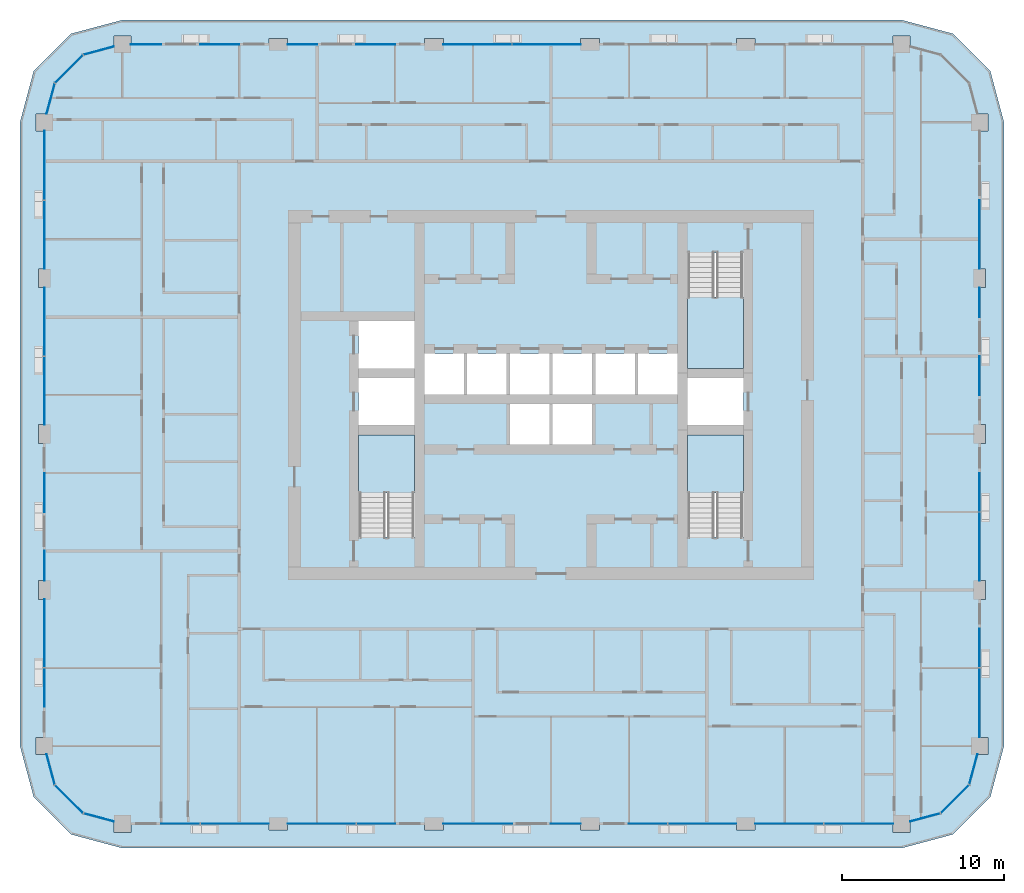
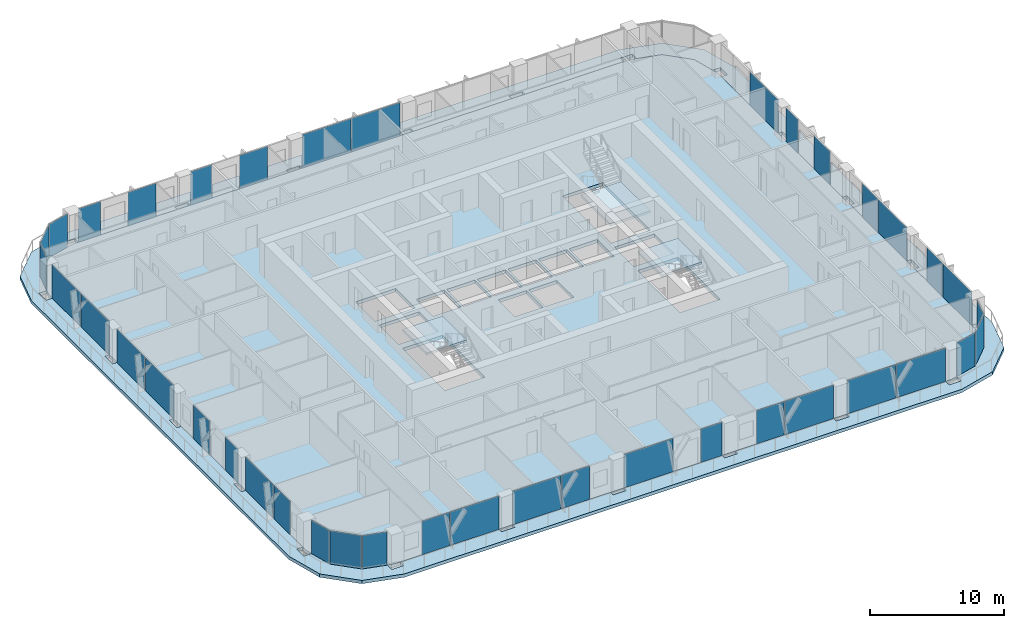
# One storey, part 7 of 22: 40 plates, 5 slabs, 22 elements without a shape of their own.
"""IFC4 building model written with IfcOpenShell, lengths in metres."""

import ifcopenshell
import ifcopenshell.guid

model = None  # the IFC model being written
_history = None  # IfcOwnerHistory: only IFC2X3 demands one
_inside = {}  # id of a spatial element -> (the spatial element, [elements in it])
_under = {}  # id of a project, library or spatial element -> (it, [spatial elements below it])
_declared = {}  # id of a project -> (the project, [libraries it declares])
_typed = {}  # id of a type object -> (the type object, [elements of that type])
_made_of = {}  # id of a material, layer set ... -> (it, [elements and type objects made of it])


def new_model(schema):
    """Start an empty IFC model of exactly this schema.

    Asked for "IFC4X3", IfcOpenShell would pick the latest addendum, in which some entities
    have other attributes; the version numbers below select the first issue.
    IFC2X3 requires an IfcOwnerHistory on every rooted entity: one is made here for all.
    """
    global model, _history
    if schema == "IFC4X3":
        model = ifcopenshell.file(schema_version=(4, 3, 0, 0))
    else:
        model = ifcopenshell.file(schema=schema)
    _inside.clear()
    _under.clear()
    _declared.clear()
    _typed.clear()
    _made_of.clear()
    _history = None
    if model.schema == "IFC2X3":
        org = make("IfcOrganization", Name="unknown")
        user = make(
            "IfcPersonAndOrganization",
            ThePerson=make("IfcPerson", FamilyName="unknown"),
            TheOrganization=org,
        )
        app = make(
            "IfcApplication",
            ApplicationDeveloper=org,
            Version="unknown",
            ApplicationFullName="unknown",
            ApplicationIdentifier="unknown",
        )
        _history = make(
            "IfcOwnerHistory",
            OwningUser=user,
            OwningApplication=app,
            ChangeAction="ADDED",
            CreationDate=0,
        )
    return model


def make(cls, **values):
    """One entity of the class cls with the attributes given. An attribute that is None is left unset."""
    return model.create_entity(
        cls, **{name: value for name, value in values.items() if value is not None}
    )


def rooted(cls, **values):
    """An entity with a GlobalId (a new one), such as an element, a storey or a relation."""
    return make(cls, GlobalId=ifcopenshell.guid.new(), OwnerHistory=_history, **values)


def si_unit(unit_type, name, prefix=None):
    """IfcSIUnit, for example si_unit("LENGTHUNIT", "METRE", prefix="MILLI")."""
    return make("IfcSIUnit", UnitType=unit_type, Prefix=prefix, Name=name)


def assignment(units):
    """IfcUnitAssignment: the units of a project."""
    return None if units is None else make("IfcUnitAssignment", Units=units)


def point(xyz):
    """IfcCartesianPoint."""
    return None if xyz is None else make("IfcCartesianPoint", Coordinates=xyz)


def direction(xyz):
    """IfcDirection."""
    return None if xyz is None else make("IfcDirection", DirectionRatios=xyz)


def frame(location, z_axis=None, x_axis=None):
    """IfcAxis2Placement3D, a coordinate frame: its origin and axes. An axis left out is left unset."""
    return make(
        "IfcAxis2Placement3D",
        Location=point(location),
        Axis=direction(z_axis),
        RefDirection=direction(x_axis),
    )


def frame_2d(location, x_axis=None):
    """IfcAxis2Placement2D, a coordinate frame in the plane: its origin and x axis."""
    return make(
        "IfcAxis2Placement2D", Location=point(location), RefDirection=direction(x_axis)
    )


def origin():
    """The frame at (0, 0, 0) with its axes left unset."""
    return frame((0.0, 0.0, 0.0))


def origin_2d():
    """The frame at (0, 0) in the plane with its x axis left unset."""
    return frame_2d((0.0, 0.0))


def place(relative_to, where):
    """IfcLocalPlacement: puts the frame where relative to a parent placement (None: the world)."""
    return make(
        "IfcLocalPlacement", PlacementRelTo=relative_to, RelativePlacement=where
    )


def context(
    kind, dimensions, precision=None, world=None, true_north=None, identifier=None
):
    """IfcGeometricRepresentationContext, for example the 3D "Model" context."""
    return make(
        "IfcGeometricRepresentationContext",
        ContextIdentifier=identifier,
        ContextType=kind,
        CoordinateSpaceDimension=dimensions,
        Precision=precision,
        WorldCoordinateSystem=world,
        TrueNorth=true_north,
    )


def subcontext(parent, identifier, kind, view, scale=None):
    """IfcGeometricRepresentationSubContext, for example "Body" below "Model"."""
    return make(
        "IfcGeometricRepresentationSubContext",
        ContextIdentifier=identifier,
        ContextType=kind,
        ParentContext=parent,
        TargetScale=scale,
        TargetView=view,
    )


def project(units=None, contexts=None):
    """IfcProject with its units and contexts."""
    return rooted(
        "IfcProject",
        Name="project",
        RepresentationContexts=contexts,
        UnitsInContext=assignment(units),
    )


def spatial(cls, under=None, at=None, **own):
    """A site, building, storey or space (cls), placed at a placement, below another one or the project."""
    s = rooted(cls, ObjectPlacement=at, **own)
    if under is not None:
        _under.setdefault(under.id(), (under, []))[1].append(s)
    return s


def polyline(points):
    """IfcPolyline through the points."""
    return make("IfcPolyline", Points=[point(p) for p in points])


def profile(cls, at=None, kind="AREA", **sizes):
    """A parametric profile (cls). Its sizes go by their IFC names, for example OverallWidth=200.0."""
    return make(cls, ProfileType=kind, Position=at, **sizes)


def rectangle(**sizes):
    """IfcRectangleProfileDef."""
    return profile("IfcRectangleProfileDef", **sizes)


def outline(outer, holes=None, kind="AREA"):
    """IfcArbitraryClosedProfileDef: a profile drawn as a closed curve; with holes, ...WithVoids."""
    if holes is None:
        return make("IfcArbitraryClosedProfileDef", ProfileType=kind, OuterCurve=outer)
    return make(
        "IfcArbitraryProfileDefWithVoids",
        ProfileType=kind,
        OuterCurve=outer,
        InnerCurves=holes,
    )


def extrude(swept, where, along, depth):
    """IfcExtrudedAreaSolid: the profile swept, set in the frame where, extruded along a direction by depth."""
    return make(
        "IfcExtrudedAreaSolid",
        SweptArea=swept,
        Position=where,
        ExtrudedDirection=direction(along),
        Depth=depth,
    )


def shape(context_of_items, identifier, shape_type, items):
    """IfcShapeRepresentation: the items that make up one representation, for example the "Body"."""
    return make(
        "IfcShapeRepresentation",
        ContextOfItems=context_of_items,
        RepresentationIdentifier=identifier,
        RepresentationType=shape_type,
        Items=items,
    )


def material(Name=None, Category=None):
    """IfcMaterial."""
    return make("IfcMaterial", Name=Name, Category=Category)


def layer(
    of_material, thickness, ventilated=None, Name=None, Category=None, Priority=None
):
    """IfcMaterialLayer: one layer of a wall or slab, of a material (None: an air gap)."""
    return make(
        "IfcMaterialLayer",
        Material=of_material,
        LayerThickness=thickness,
        IsVentilated=ventilated,
        Name=Name,
        Category=Category,
        Priority=Priority,
    )


def layer_set(layers, Name=None):
    """IfcMaterialLayerSet."""
    return make("IfcMaterialLayerSet", MaterialLayers=layers, LayerSetName=Name)


def made_of(thing, what):
    """Note that an element or type object is made of a material, layer set ...; save() writes the relation."""
    if what is not None:
        _made_of.setdefault(what.id(), (what, []))[1].append(thing)
    return thing


def type_object(cls, material=None, **own):
    """A type object (cls), such as IfcWallType, which elements share."""
    return made_of(rooted(cls, **own), material)


def element(
    cls,
    number,
    at=None,
    inside=None,
    cuts=None,
    type_object=None,
    material=None,
    context=None,
    identifier="Body",
    shape_type=None,
    held_by="IfcProductDefinitionShape",
    body=None,
    shapes=None,
    **own,
):
    """One element of the class cls, such as IfcWall. Its Tag is "e" and its number.

    at: its placement. inside: the storey or other place that contains it. cuts: it is an
    opening in that element (IfcRelVoidsElement). A single representation is given by context,
    identifier, shape_type and body (its items); several are given by shapes. held_by: the class
    of the entity that holds the representations. save() writes the other relations.
    """
    e = rooted(cls, Tag="e%d" % number, ObjectPlacement=at, **own)
    if body is not None:
        shapes = [shape(context, identifier, shape_type, body)]
    if shapes is not None:
        e.Representation = make(held_by, Representations=shapes)
    if inside is not None:
        _inside.setdefault(inside.id(), (inside, []))[1].append(e)
    if cuts is not None:
        rooted(
            "IfcRelVoidsElement", RelatingBuildingElement=cuts, RelatedOpeningElement=e
        )
    if type_object is not None:
        _typed.setdefault(type_object.id(), (type_object, []))[1].append(e)
    return made_of(e, material)


def aggregate(whole, parts):
    """IfcRelAggregates: a whole, such as a stair, and the parts it consists of."""
    return rooted("IfcRelAggregates", RelatingObject=whole, RelatedObjects=parts)


def save(model, path):
    """Write the relations noted so far, then the file.

    IfcRelAggregates (storeys below a building ...), IfcRelContainedInSpatialStructure (elements
    in a storey), IfcRelDefinesByType, IfcRelAssociatesMaterial and IfcRelDeclares: one each for
    every whole, place, type object, material and project.
    """
    for whole, parts in _under.values():
        aggregate(whole, parts)
    for where, things in _inside.values():
        rooted(
            "IfcRelContainedInSpatialStructure",
            RelatedElements=things,
            RelatingStructure=where,
        )
    for kind, things in _typed.values():
        rooted("IfcRelDefinesByType", RelatedObjects=things, RelatingType=kind)
    for what, things in _made_of.values():
        rooted("IfcRelAssociatesMaterial", RelatedObjects=things, RelatingMaterial=what)
    for by, libraries in _declared.values():
        rooted("IfcRelDeclares", RelatingContext=by, RelatedDefinitions=libraries)
    model.write(path)


model = new_model("IFC4")

# Units and contexts
model_context = context("Model", 3, precision=1e-05, world=origin(), true_north=direction((0.0, 1.0)))
body_context = subcontext(model_context, "Body", "Model", "MODEL_VIEW")
ifc_project = project(units=[si_unit("LENGTHUNIT", "METRE"), si_unit("AREAUNIT", "SQUARE_METRE"), si_unit("VOLUMEUNIT", "CUBIC_METRE"), si_unit("PLANEANGLEUNIT", "RADIAN"), si_unit("MASSUNIT", "GRAM", prefix="KILO")], contexts=[model_context])

# Site, building, storey
site_placement = place(None, origin())
site = spatial("IfcSite", under=ifc_project, at=site_placement, CompositionType="ELEMENT")
building_placement = place(site_placement, origin())
building = spatial("IfcBuilding", under=site, at=building_placement, Name="Madar Terraces", CompositionType="ELEMENT")
storey_placement = place(building_placement, frame((0.0, 0.0, 170.0)))
storey = spatial("IfcBuildingStorey", under=building, at=storey_placement, Name="L44", CompositionType="ELEMENT", Elevation=170.0)

# Slabs
ifc_material_1 = material(Name="Concrete C50/60", Category="concrete")
ifc_layer_1 = layer(ifc_material_1, 0.300048828125)
ifc_layer_set_1 = layer_set([ifc_layer_1], Name="Balcony band 300")
slab_type_1 = type_object("IfcSlabType", Name="Balcony band 300", PredefinedType="FLOOR", material=ifc_layer_set_1)
slab_1_placement = place(storey_placement, frame((0.0, 0.0, -0.300048828125)))
element("IfcSlab", 1, at=slab_1_placement, inside=storey, type_object=slab_type_1, Name="Balcony band", PredefinedType="FLOOR", context=body_context, shape_type="SweptSolid", body=[
    extrude(outline(polyline([(4.800048828125, -1.5), (1.64990234375, -0.656005859375), (-0.656005859375, 1.64990234375), (-1.5, 4.800048828125), (-1.5, 43.199951171875), (-0.656005859375, 46.35009765625), (1.64990234375, 48.656005859375), (4.800048828125, 49.5), (52.800048828125, 49.5), (55.949951171875, 48.656005859375), (58.256103515625, 46.35009765625), (59.10009765625, 43.199951171875), (59.10009765625, 4.800048828125), (58.256103515625, 1.64990234375), (55.949951171875, -0.656005859375), (52.800048828125, -1.5), (4.800048828125, -1.5)]), holes=[polyline([(5.324951171875, -0.52490234375), (5.324951171875, 0.0), (13.824951171875, 0.0), (13.824951171875, -0.375), (14.97509765625, -0.375), (14.97509765625, 0.0), (23.425048828125, 0.0), (23.425048828125, -0.375), (24.574951171875, -0.375), (24.574951171875, 0.0), (33.02490234375, 0.0), (33.02490234375, -0.375), (34.175048828125, -0.375), (34.175048828125, 0.0), (42.625, 0.0), (42.625, -0.375), (43.77490234375, -0.375), (43.77490234375, 0.0), (52.27490234375, 0.0), (52.27490234375, -0.52490234375), (53.324951171875, -0.52490234375), (53.324951171875, 0.140625), (55.199951171875, 0.64306640625), (56.956787109375, 2.39990234375), (57.459228515625, 4.27490234375), (58.125, 4.27490234375), (58.125, 5.324951171875), (57.60009765625, 5.324951171875), (57.60009765625, 13.824951171875), (57.97509765625, 13.824951171875), (57.97509765625, 14.97509765625), (57.60009765625, 14.97509765625), (57.60009765625, 23.425048828125), (57.97509765625, 23.425048828125), (57.97509765625, 24.574951171875), (57.60009765625, 24.574951171875), (57.60009765625, 33.02490234375), (57.97509765625, 33.02490234375), (57.97509765625, 34.175048828125), (57.60009765625, 34.175048828125), (57.60009765625, 42.675048828125), (58.125, 42.675048828125), (58.125, 43.72509765625), (57.459228515625, 43.72509765625), (56.956787109375, 45.60009765625), (55.199951171875, 47.35693359375), (53.324951171875, 47.859375), (53.324951171875, 48.52490234375), (52.27490234375, 48.52490234375), (52.27490234375, 48.0), (43.77490234375, 48.0), (43.77490234375, 48.375), (42.625, 48.375), (42.625, 48.0), (34.175048828125, 48.0), (34.175048828125, 48.375), (33.02490234375, 48.375), (33.02490234375, 48.0), (24.574951171875, 48.0), (24.574951171875, 48.375), (23.425048828125, 48.375), (23.425048828125, 48.0), (14.97509765625, 48.0), (14.97509765625, 48.375), (13.824951171875, 48.375), (13.824951171875, 48.0), (5.324951171875, 48.0), (5.324951171875, 48.52490234375), (4.27490234375, 48.52490234375), (4.27490234375, 47.859375), (2.39990234375, 47.35693359375), (0.64306640625, 45.60009765625), (0.140625, 43.72509765625), (-0.52490234375, 43.72509765625), (-0.52490234375, 42.675048828125), (0.0, 42.675048828125), (0.0, 34.175048828125), (-0.375, 34.175048828125), (-0.375, 33.02490234375), (0.0, 33.02490234375), (0.0, 24.574951171875), (-0.375, 24.574951171875), (-0.375, 23.425048828125), (0.0, 23.425048828125), (0.0, 14.97509765625), (-0.375, 14.97509765625), (-0.375, 13.824951171875), (0.0, 13.824951171875), (0.0, 5.324951171875), (-0.52490234375, 5.324951171875), (-0.52490234375, 4.27490234375), (0.140625, 4.27490234375), (0.64306640625, 2.39990234375), (2.39990234375, 0.64306640625), (4.27490234375, 0.140625), (4.27490234375, -0.52490234375), (5.324951171875, -0.52490234375)])]), origin(), (0.0, 0.0, 1.0), 0.300048828125),
])
ifc_material_2 = material(Name="Concrete C50/60", Category="concrete")
ifc_layer_2 = layer(ifc_material_2, 0.300048828125)
ifc_layer_set_2 = layer_set([ifc_layer_2], Name="FS2 PT flat slab 300")
slab_type_2 = type_object("IfcSlabType", Name="FS2 PT flat slab 300", PredefinedType="FLOOR", material=ifc_layer_set_2)
slab_2_placement = place(storey_placement, frame((0.0, 0.0, -0.300048828125)))
element("IfcSlab", 2, at=slab_2_placement, inside=storey, type_object=slab_type_2, Name="Floor slab L44 (1)", PredefinedType="FLOOR", context=body_context, shape_type="SweptSolid", body=[
    extrude(outline(polyline([(52.800048828125, 0.0), (55.199951171875, 0.64306640625), (56.95703125, 2.39990234375), (57.60009765625, 4.800048828125), (57.60009765625, 43.199951171875), (56.95703125, 45.60009765625), (55.199951171875, 47.35693359375), (52.800048828125, 48.0), (4.800048828125, 48.0), (2.39990234375, 47.35693359375), (0.64306640625, 45.60009765625), (0.0, 43.199951171875), (0.0, 4.800048828125), (0.64306640625, 2.39990234375), (2.39990234375, 0.64306640625), (4.800048828125, 0.0), (52.800048828125, 0.0)]), holes=[polyline([(22.800048828125, 17.64990234375), (19.35009765625, 17.64990234375), (19.35009765625, 23.949951171875), (22.800048828125, 23.949951171875), (22.800048828125, 17.64990234375)]), polyline([(28.666748046875, 23.35009765625), (28.666748046875, 25.85009765625), (31.10009765625, 25.85009765625), (31.10009765625, 23.35009765625), (28.666748046875, 23.35009765625)]), polyline([(19.35009765625, 24.550048828125), (19.35009765625, 27.449951171875), (22.800048828125, 27.449951171875), (22.800048828125, 24.550048828125), (19.35009765625, 24.550048828125)]), polyline([(23.39990234375, 26.449951171875), (23.39990234375, 28.949951171875), (25.833251953125, 28.949951171875), (25.833251953125, 26.449951171875), (23.39990234375, 26.449951171875)]), polyline([(26.033447265625, 26.449951171875), (26.033447265625, 28.949951171875), (28.466552734375, 28.949951171875), (28.466552734375, 26.449951171875), (26.033447265625, 26.449951171875)]), polyline([(28.666748046875, 26.449951171875), (28.666748046875, 28.949951171875), (31.10009765625, 28.949951171875), (31.10009765625, 26.449951171875), (28.666748046875, 26.449951171875)]), polyline([(19.35009765625, 28.050048828125), (19.35009765625, 30.949951171875), (22.800048828125, 30.949951171875), (22.800048828125, 28.050048828125), (19.35009765625, 28.050048828125)]), polyline([(43.050048828125, 17.64990234375), (39.60009765625, 17.64990234375), (39.60009765625, 23.949951171875), (43.050048828125, 23.949951171875), (43.050048828125, 17.64990234375)]), polyline([(31.300048828125, 23.35009765625), (31.300048828125, 25.85009765625), (33.7333984375, 25.85009765625), (33.7333984375, 23.35009765625), (31.300048828125, 23.35009765625)]), polyline([(39.60009765625, 24.550048828125), (39.60009765625, 27.449951171875), (43.050048828125, 27.449951171875), (43.050048828125, 24.550048828125), (39.60009765625, 24.550048828125)]), polyline([(31.300048828125, 26.449951171875), (31.300048828125, 28.949951171875), (33.7333984375, 28.949951171875), (33.7333984375, 26.449951171875), (31.300048828125, 26.449951171875)]), polyline([(33.933349609375, 26.449951171875), (33.933349609375, 28.949951171875), (36.36669921875, 28.949951171875), (36.36669921875, 26.449951171875), (33.933349609375, 26.449951171875)]), polyline([(36.566650390625, 26.449951171875), (36.566650390625, 28.949951171875), (39.0, 28.949951171875), (39.0, 26.449951171875), (36.566650390625, 26.449951171875)]), polyline([(39.60009765625, 28.050048828125), (39.60009765625, 35.14990234375), (43.050048828125, 35.14990234375), (43.050048828125, 28.050048828125), (39.60009765625, 28.050048828125)])]), origin(), (0.0, 0.0, 1.0), 0.300048828125),
])

# Curtain wall, plates
ifc_material_3 = material(Name="Glass, ceramic frit dark grey, with black aluminium frame", Category="aluminium")
ifc_layer_3 = layer(ifc_material_3, 0.199951171875)
ifc_layer_set_3 = layer_set([ifc_layer_3], Name="Facade curtain wall, fritted glass")
curtain_wall_type = type_object("IfcCurtainWallType", Name="Facade curtain wall, fritted glass", PredefinedType="NOTDEFINED", material=ifc_layer_set_3)
curtain_wall_1_placement = place(storey_placement, origin())
curtain_wall_1 = element("IfcCurtainWall", 3, at=curtain_wall_1_placement, inside=storey, type_object=curtain_wall_type, Name="Outer skin curtain wall south bay 1", PredefinedType="NOTDEFINED")
ifc_material_4 = material(Name="Glass, ceramic frit dark grey", Category="glass")
ifc_layer_4 = layer(ifc_material_4, 0.028076171875)
ifc_layer_set_4 = layer_set([ifc_layer_4], Name="Facade glass panel 28")
plate_type = type_object("IfcPlateType", Name="Facade glass panel 28", PredefinedType="CURTAIN_PANEL", material=ifc_layer_set_4)
plate_1_placement = place(storey_placement, frame((8.385009765625, 0.0, 0.0), z_axis=(0.0, 0.0, 1.0), x_axis=(1.0, 0.0, 0.0)))
plate_1 = element("IfcPlate", 4, at=plate_1_placement, type_object=plate_type, Name="Panel 1", PredefinedType="CURTAIN_PANEL", context=body_context, shape_type="SweptSolid", body=[
    extrude(rectangle(XDim=2.3701171875, YDim=0.028076171875, at=origin_2d()), origin(), (0.0, 0.0, 1.0), 3.0400390625),
])
plate_2_placement = place(storey_placement, frame((11.7275390625, 0.0, 0.0), z_axis=(0.0, 0.0, 1.0), x_axis=(1.0, 0.0, 0.0)))
plate_2 = element("IfcPlate", 5, at=plate_2_placement, type_object=plate_type, Name="Panel 2", PredefinedType="CURTAIN_PANEL", context=body_context, shape_type="SweptSolid", body=[
    extrude(rectangle(XDim=4.195068359375, YDim=0.028076171875, at=origin_2d()), origin(), (0.0, 0.0, 1.0), 3.0400390625),
])
aggregate(curtain_wall_1, [plate_1, plate_2])

curtain_wall_2_placement = place(storey_placement, origin())
curtain_wall_2 = element("IfcCurtainWall", 6, at=curtain_wall_2_placement, inside=storey, type_object=curtain_wall_type, Name="Outer skin curtain wall south bay 2", PredefinedType="NOTDEFINED")
plate_3_placement = place(storey_placement, frame((17.072509765625, 0.0, 0.0), z_axis=(0.0, 0.0, 1.0), x_axis=(1.0, 0.0, 0.0)))
plate_3 = element("IfcPlate", 7, at=plate_3_placement, type_object=plate_type, Name="Panel 1", PredefinedType="CURTAIN_PANEL", context=body_context, shape_type="SweptSolid", body=[
    extrude(rectangle(XDim=4.195068359375, YDim=0.028076171875, at=origin_2d()), origin(), (0.0, 0.0, 1.0), 3.0400390625),
])
plate_4_placement = place(storey_placement, frame((20.4150390625, 0.0, 0.0), z_axis=(0.0, 0.0, 1.0), x_axis=(1.0, 0.0, 0.0)))
plate_4 = element("IfcPlate", 8, at=plate_4_placement, type_object=plate_type, Name="Panel 2", PredefinedType="CURTAIN_PANEL", context=body_context, shape_type="SweptSolid", body=[
    extrude(rectangle(XDim=2.3701171875, YDim=0.028076171875, at=origin_2d()), origin(), (0.0, 0.0, 1.0), 3.0400390625),
])
aggregate(curtain_wall_2, [plate_3, plate_4])

curtain_wall_3_placement = place(storey_placement, origin())
curtain_wall_3 = element("IfcCurtainWall", 9, at=curtain_wall_3_placement, inside=storey, type_object=curtain_wall_type, Name="Outer skin curtain wall south bay 3", PredefinedType="NOTDEFINED")
plate_5_placement = place(storey_placement, frame((26.6875, 0.0, 0.0), z_axis=(0.0, 0.0, 1.0), x_axis=(1.0, 0.0, 0.0)))
plate_5 = element("IfcPlate", 10, at=plate_5_placement, type_object=plate_type, Name="Panel 1", PredefinedType="CURTAIN_PANEL", context=body_context, shape_type="SweptSolid", body=[
    extrude(rectangle(XDim=4.22509765625, YDim=0.028076171875, at=origin_2d()), origin(), (0.0, 0.0, 1.0), 3.0400390625),
])
plate_6_placement = place(storey_placement, frame((32.112548828125, 0.0, 0.0), z_axis=(0.0, 0.0, 1.0), x_axis=(1.0, 0.0, 0.0)))
plate_6 = element("IfcPlate", 11, at=plate_6_placement, type_object=plate_type, Name="Panel 2", PredefinedType="CURTAIN_PANEL", context=body_context, shape_type="SweptSolid", body=[
    extrude(rectangle(XDim=1.824951171875, YDim=0.028076171875, at=origin_2d()), origin(), (0.0, 0.0, 1.0), 3.0400390625),
])
aggregate(curtain_wall_3, [plate_5, plate_6])

curtain_wall_4_placement = place(storey_placement, origin())
curtain_wall_4 = element("IfcCurtainWall", 12, at=curtain_wall_4_placement, inside=storey, type_object=curtain_wall_type, Name="Outer skin curtain wall south bay 4", PredefinedType="NOTDEFINED")
plate_7_placement = place(storey_placement, frame((37.18505859375, 0.0, 0.0), z_axis=(0.0, 0.0, 1.0), x_axis=(1.0, 0.0, 0.0)))
plate_7 = element("IfcPlate", 13, at=plate_7_placement, type_object=plate_type, Name="Panel 1", PredefinedType="CURTAIN_PANEL", context=body_context, shape_type="SweptSolid", body=[
    extrude(rectangle(XDim=2.3701171875, YDim=0.028076171875, at=origin_2d()), origin(), (0.0, 0.0, 1.0), 3.0400390625),
])
plate_8_placement = place(storey_placement, frame((40.527587890625, 0.0, 0.0), z_axis=(0.0, 0.0, 1.0), x_axis=(1.0, 0.0, 0.0)))
plate_8 = element("IfcPlate", 14, at=plate_8_placement, type_object=plate_type, Name="Panel 2", PredefinedType="CURTAIN_PANEL", context=body_context, shape_type="SweptSolid", body=[
    extrude(rectangle(XDim=4.195068359375, YDim=0.028076171875, at=origin_2d()), origin(), (0.0, 0.0, 1.0), 3.0400390625),
])
aggregate(curtain_wall_4, [plate_7, plate_8])

curtain_wall_5_placement = place(storey_placement, origin())
curtain_wall_5 = element("IfcCurtainWall", 15, at=curtain_wall_5_placement, inside=storey, type_object=curtain_wall_type, Name="Outer skin curtain wall south bay 5", PredefinedType="NOTDEFINED")
plate_9_placement = place(storey_placement, frame((45.87255859375, 0.0, 0.0), z_axis=(0.0, 0.0, 1.0), x_axis=(1.0, 0.0, 0.0)))
plate_9 = element("IfcPlate", 16, at=plate_9_placement, type_object=plate_type, Name="Panel 1", PredefinedType="CURTAIN_PANEL", context=body_context, shape_type="SweptSolid", body=[
    extrude(rectangle(XDim=4.195068359375, YDim=0.028076171875, at=origin_2d()), origin(), (0.0, 0.0, 1.0), 3.0400390625),
])
plate_10_placement = place(storey_placement, frame((50.152587890625, 0.0, 0.0), z_axis=(0.0, 0.0, 1.0), x_axis=(1.0, 0.0, 0.0)))
plate_10 = element("IfcPlate", 17, at=plate_10_placement, type_object=plate_type, Name="Panel 2", PredefinedType="CURTAIN_PANEL", context=body_context, shape_type="SweptSolid", body=[
    extrude(rectangle(XDim=4.2451171875, YDim=0.028076171875, at=origin_2d()), origin(), (0.0, 0.0, 1.0), 3.0400390625),
])
aggregate(curtain_wall_5, [plate_9, plate_10])

curtain_wall_6_placement = place(storey_placement, origin())
curtain_wall_6 = element("IfcCurtainWall", 18, at=curtain_wall_6_placement, inside=storey, type_object=curtain_wall_type, Name="Outer skin curtain wall east bay 1", PredefinedType="NOTDEFINED")
plate_11_placement = place(storey_placement, frame((57.60009765625, 7.447509765625, 0.0), z_axis=(0.0, 0.0, 1.0), x_axis=(0.0, 1.0, 0.0)))
plate_11 = element("IfcPlate", 19, at=plate_11_placement, type_object=plate_type, Name="Panel 1", PredefinedType="CURTAIN_PANEL", context=body_context, shape_type="SweptSolid", body=[
    extrude(rectangle(XDim=4.2451171875, YDim=0.028076171875, at=origin_2d()), origin(), (0.0, 0.0, 1.0), 3.0400390625),
])
plate_12_placement = place(storey_placement, frame((57.60009765625, 10.81494140625, 0.0), z_axis=(0.0, 0.0, 1.0), x_axis=(0.0, 1.0, 0.0)))
plate_12 = element("IfcPlate", 20, at=plate_12_placement, type_object=plate_type, Name="Panel 2", PredefinedType="CURTAIN_PANEL", context=body_context, shape_type="SweptSolid", body=[
    extrude(rectangle(XDim=2.3701171875, YDim=0.028076171875, at=origin_2d()), origin(), (0.0, 0.0, 1.0), 3.0400390625),
])
aggregate(curtain_wall_6, [plate_11, plate_12])

curtain_wall_7_placement = place(storey_placement, origin())
curtain_wall_7 = element("IfcCurtainWall", 21, at=curtain_wall_7_placement, inside=storey, type_object=curtain_wall_type, Name="Outer skin curtain wall east bay 2", PredefinedType="NOTDEFINED")
plate_13_placement = place(storey_placement, frame((57.60009765625, 17.072509765625, 0.0), z_axis=(0.0, 0.0, 1.0), x_axis=(0.0, 1.0, 0.0)))
plate_13 = element("IfcPlate", 22, at=plate_13_placement, type_object=plate_type, Name="Panel 1", PredefinedType="CURTAIN_PANEL", context=body_context, shape_type="SweptSolid", body=[
    extrude(rectangle(XDim=4.195068359375, YDim=0.028076171875, at=origin_2d()), origin(), (0.0, 0.0, 1.0), 3.0400390625),
])
plate_14_placement = place(storey_placement, frame((57.60009765625, 20.4150390625, 0.0), z_axis=(0.0, 0.0, 1.0), x_axis=(0.0, 1.0, 0.0)))
plate_14 = element("IfcPlate", 23, at=plate_14_placement, type_object=plate_type, Name="Panel 2", PredefinedType="CURTAIN_PANEL", context=body_context, shape_type="SweptSolid", body=[
    extrude(rectangle(XDim=2.3701171875, YDim=0.028076171875, at=origin_2d()), origin(), (0.0, 0.0, 1.0), 3.0400390625),
])
aggregate(curtain_wall_7, [plate_13, plate_14])

curtain_wall_8_placement = place(storey_placement, origin())
curtain_wall_8 = element("IfcCurtainWall", 24, at=curtain_wall_8_placement, inside=storey, type_object=curtain_wall_type, Name="Outer skin curtain wall east bay 3", PredefinedType="NOTDEFINED")
plate_15_placement = place(storey_placement, frame((57.60009765625, 27.60009765625, 0.0), z_axis=(0.0, 0.0, 1.0), x_axis=(0.0, 1.0, 0.0)))
plate_15 = element("IfcPlate", 25, at=plate_15_placement, type_object=plate_type, Name="Panel 1", PredefinedType="CURTAIN_PANEL", context=body_context, shape_type="SweptSolid", body=[
    extrude(rectangle(XDim=2.39990234375, YDim=0.028076171875, at=origin_2d()), origin(), (0.0, 0.0, 1.0), 3.0400390625),
])
plate_16_placement = place(storey_placement, frame((57.60009765625, 32.112548828125, 0.0), z_axis=(0.0, 0.0, 1.0), x_axis=(0.0, 1.0, 0.0)))
plate_16 = element("IfcPlate", 26, at=plate_16_placement, type_object=plate_type, Name="Panel 2", PredefinedType="CURTAIN_PANEL", context=body_context, shape_type="SweptSolid", body=[
    extrude(rectangle(XDim=1.824951171875, YDim=0.028076171875, at=origin_2d()), origin(), (0.0, 0.0, 1.0), 3.0400390625),
])
aggregate(curtain_wall_8, [plate_15, plate_16])

# Curtain wall, plate
curtain_wall_9_placement = place(storey_placement, origin())
curtain_wall_9 = element("IfcCurtainWall", 27, at=curtain_wall_9_placement, inside=storey, type_object=curtain_wall_type, Name="Outer skin curtain wall east bay 4", PredefinedType="NOTDEFINED")
plate_17_placement = place(storey_placement, frame((57.60009765625, 36.28759765625, 0.0), z_axis=(0.0, 0.0, 1.0), x_axis=(0.0, 1.0, 0.0)))
plate_17 = element("IfcPlate", 28, at=plate_17_placement, type_object=plate_type, Name="Panel 1", PredefinedType="CURTAIN_PANEL", context=body_context, shape_type="SweptSolid", body=[
    extrude(rectangle(XDim=4.22509765625, YDim=0.028076171875, at=origin_2d()), origin(), (0.0, 0.0, 1.0), 3.0400390625),
])
aggregate(curtain_wall_9, [plate_17])

# Curtain wall, plates
curtain_wall_10_placement = place(storey_placement, origin())
curtain_wall_10 = element("IfcCurtainWall", 29, at=curtain_wall_10_placement, inside=storey, type_object=curtain_wall_type, Name="Outer skin curtain wall north bay 3", PredefinedType="NOTDEFINED")
plate_18_placement = place(storey_placement, frame((30.927490234375, 48.0, 0.0), z_axis=(0.0, 0.0, 1.0), x_axis=(-1.0, 0.0, 0.0)))
plate_18 = element("IfcPlate", 30, at=plate_18_placement, type_object=plate_type, Name="Panel 1", PredefinedType="CURTAIN_PANEL", context=body_context, shape_type="SweptSolid", body=[
    extrude(rectangle(XDim=4.195068359375, YDim=0.028076171875, at=origin_2d()), origin(), (0.0, 0.0, 1.0), 3.0400390625),
])
plate_19_placement = place(storey_placement, frame((26.672607421875, 48.0, 0.0), z_axis=(0.0, 0.0, 1.0), x_axis=(-1.0, 0.0, 0.0)))
plate_19 = element("IfcPlate", 31, at=plate_19_placement, type_object=plate_type, Name="Panel 2", PredefinedType="CURTAIN_PANEL", context=body_context, shape_type="SweptSolid", body=[
    extrude(rectangle(XDim=4.195068359375, YDim=0.028076171875, at=origin_2d()), origin(), (0.0, 0.0, 1.0), 3.0400390625),
])
aggregate(curtain_wall_10, [plate_18, plate_19])

curtain_wall_11_placement = place(storey_placement, origin())
curtain_wall_11 = element("IfcCurtainWall", 32, at=curtain_wall_11_placement, inside=storey, type_object=curtain_wall_type, Name="Outer skin curtain wall north bay 4", PredefinedType="NOTDEFINED")
plate_20_placement = place(storey_placement, frame((20.39990234375, 48.0, 0.0), z_axis=(0.0, 0.0, 1.0), x_axis=(-1.0, 0.0, 0.0)))
plate_20 = element("IfcPlate", 33, at=plate_20_placement, type_object=plate_type, Name="Panel 1", PredefinedType="CURTAIN_PANEL", context=body_context, shape_type="SweptSolid", body=[
    extrude(rectangle(XDim=2.39990234375, YDim=0.028076171875, at=origin_2d()), origin(), (0.0, 0.0, 1.0), 3.0400390625),
])
plate_21_placement = place(storey_placement, frame((15.887451171875, 48.0, 0.0), z_axis=(0.0, 0.0, 1.0), x_axis=(-1.0, 0.0, 0.0)))
plate_21 = element("IfcPlate", 34, at=plate_21_placement, type_object=plate_type, Name="Panel 2", PredefinedType="CURTAIN_PANEL", context=body_context, shape_type="SweptSolid", body=[
    extrude(rectangle(XDim=1.824951171875, YDim=0.028076171875, at=origin_2d()), origin(), (0.0, 0.0, 1.0), 3.0400390625),
])
aggregate(curtain_wall_11, [plate_20, plate_21])

curtain_wall_12_placement = place(storey_placement, origin())
curtain_wall_12 = element("IfcCurtainWall", 35, at=curtain_wall_12_placement, inside=storey, type_object=curtain_wall_type, Name="Outer skin curtain wall north bay 5", PredefinedType="NOTDEFINED")
plate_22_placement = place(storey_placement, frame((10.800048828125, 48.0, 0.0), z_axis=(0.0, 0.0, 1.0), x_axis=(-1.0, 0.0, 0.0)))
plate_22 = element("IfcPlate", 36, at=plate_22_placement, type_object=plate_type, Name="Panel 1", PredefinedType="CURTAIN_PANEL", context=body_context, shape_type="SweptSolid", body=[
    extrude(rectangle(XDim=2.39990234375, YDim=0.028076171875, at=origin_2d()), origin(), (0.0, 0.0, 1.0), 3.0400390625),
])
plate_23_placement = place(storey_placement, frame((6.262451171875, 48.0, 0.0), z_axis=(0.0, 0.0, 1.0), x_axis=(-1.0, 0.0, 0.0)))
plate_23 = element("IfcPlate", 37, at=plate_23_placement, type_object=plate_type, Name="Panel 2", PredefinedType="CURTAIN_PANEL", context=body_context, shape_type="SweptSolid", body=[
    extrude(rectangle(XDim=1.875, YDim=0.028076171875, at=origin_2d()), origin(), (0.0, 0.0, 1.0), 3.0400390625),
])
aggregate(curtain_wall_12, [plate_22, plate_23])

curtain_wall_13_placement = place(storey_placement, origin())
curtain_wall_13 = element("IfcCurtainWall", 38, at=curtain_wall_13_placement, inside=storey, type_object=curtain_wall_type, Name="Outer skin curtain wall west bay 1", PredefinedType="NOTDEFINED")
plate_24_placement = place(storey_placement, frame((0.0, 40.552490234375, 0.0), z_axis=(0.0, 0.0, 1.0), x_axis=(0.0, -1.0, 0.0)))
plate_24 = element("IfcPlate", 39, at=plate_24_placement, type_object=plate_type, Name="Panel 1", PredefinedType="CURTAIN_PANEL", context=body_context, shape_type="SweptSolid", body=[
    extrude(rectangle(XDim=4.2451171875, YDim=0.028076171875, at=origin_2d()), origin(), (0.0, 0.0, 1.0), 3.0400390625),
])
plate_25_placement = place(storey_placement, frame((0.0, 36.2724609375, 0.0), z_axis=(0.0, 0.0, 1.0), x_axis=(0.0, -1.0, 0.0)))
plate_25 = element("IfcPlate", 40, at=plate_25_placement, type_object=plate_type, Name="Panel 2", PredefinedType="CURTAIN_PANEL", context=body_context, shape_type="SweptSolid", body=[
    extrude(rectangle(XDim=4.195068359375, YDim=0.028076171875, at=origin_2d()), origin(), (0.0, 0.0, 1.0), 3.0400390625),
])
aggregate(curtain_wall_13, [plate_24, plate_25])

curtain_wall_14_placement = place(storey_placement, origin())
curtain_wall_14 = element("IfcCurtainWall", 41, at=curtain_wall_14_placement, inside=storey, type_object=curtain_wall_type, Name="Outer skin curtain wall west bay 2", PredefinedType="NOTDEFINED")
plate_26_placement = place(storey_placement, frame((0.0, 30.927490234375, 0.0), z_axis=(0.0, 0.0, 1.0), x_axis=(0.0, -1.0, 0.0)))
plate_26 = element("IfcPlate", 42, at=plate_26_placement, type_object=plate_type, Name="Panel 1", PredefinedType="CURTAIN_PANEL", context=body_context, shape_type="SweptSolid", body=[
    extrude(rectangle(XDim=4.195068359375, YDim=0.028076171875, at=origin_2d()), origin(), (0.0, 0.0, 1.0), 3.0400390625),
])
plate_27_placement = place(storey_placement, frame((0.0, 26.672607421875, 0.0), z_axis=(0.0, 0.0, 1.0), x_axis=(0.0, -1.0, 0.0)))
plate_27 = element("IfcPlate", 43, at=plate_27_placement, type_object=plate_type, Name="Panel 2", PredefinedType="CURTAIN_PANEL", context=body_context, shape_type="SweptSolid", body=[
    extrude(rectangle(XDim=4.195068359375, YDim=0.028076171875, at=origin_2d()), origin(), (0.0, 0.0, 1.0), 3.0400390625),
])
aggregate(curtain_wall_14, [plate_26, plate_27])

curtain_wall_15_placement = place(storey_placement, origin())
curtain_wall_15 = element("IfcCurtainWall", 44, at=curtain_wall_15_placement, inside=storey, type_object=curtain_wall_type, Name="Outer skin curtain wall west bay 3", PredefinedType="NOTDEFINED")
plate_28_placement = place(storey_placement, frame((0.0, 20.39990234375, 0.0), z_axis=(0.0, 0.0, 1.0), x_axis=(0.0, -1.0, 0.0)))
plate_28 = element("IfcPlate", 45, at=plate_28_placement, type_object=plate_type, Name="Panel 1", PredefinedType="CURTAIN_PANEL", context=body_context, shape_type="SweptSolid", body=[
    extrude(rectangle(XDim=2.39990234375, YDim=0.028076171875, at=origin_2d()), origin(), (0.0, 0.0, 1.0), 3.0400390625),
])
plate_29_placement = place(storey_placement, frame((0.0, 15.887451171875, 0.0), z_axis=(0.0, 0.0, 1.0), x_axis=(0.0, -1.0, 0.0)))
plate_29 = element("IfcPlate", 46, at=plate_29_placement, type_object=plate_type, Name="Panel 2", PredefinedType="CURTAIN_PANEL", context=body_context, shape_type="SweptSolid", body=[
    extrude(rectangle(XDim=1.824951171875, YDim=0.028076171875, at=origin_2d()), origin(), (0.0, 0.0, 1.0), 3.0400390625),
])
aggregate(curtain_wall_15, [plate_28, plate_29])

curtain_wall_16_placement = place(storey_placement, origin())
curtain_wall_16 = element("IfcCurtainWall", 47, at=curtain_wall_16_placement, inside=storey, type_object=curtain_wall_type, Name="Outer skin curtain wall west bay 4", PredefinedType="NOTDEFINED")
plate_30_placement = place(storey_placement, frame((0.0, 11.7275390625, 0.0), z_axis=(0.0, 0.0, 1.0), x_axis=(0.0, -1.0, 0.0)))
plate_30 = element("IfcPlate", 48, at=plate_30_placement, type_object=plate_type, Name="Panel 1", PredefinedType="CURTAIN_PANEL", context=body_context, shape_type="SweptSolid", body=[
    extrude(rectangle(XDim=4.195068359375, YDim=0.028076171875, at=origin_2d()), origin(), (0.0, 0.0, 1.0), 3.0400390625),
])
plate_31_placement = place(storey_placement, frame((0.0, 8.385009765625, 0.0), z_axis=(0.0, 0.0, 1.0), x_axis=(0.0, -1.0, 0.0)))
plate_31 = element("IfcPlate", 49, at=plate_31_placement, type_object=plate_type, Name="Panel 2", PredefinedType="CURTAIN_PANEL", context=body_context, shape_type="SweptSolid", body=[
    extrude(rectangle(XDim=2.3701171875, YDim=0.028076171875, at=origin_2d()), origin(), (0.0, 0.0, 1.0), 3.0400390625),
])
aggregate(curtain_wall_16, [plate_30, plate_31])

curtain_wall_17_placement = place(storey_placement, origin())
curtain_wall_17 = element("IfcCurtainWall", 50, at=curtain_wall_17_placement, inside=storey, type_object=curtain_wall_type, Name="Outer skin curtain wall south-east corner", PredefinedType="NOTDEFINED")
plate_32_placement = place(storey_placement, frame((54.248046875, 0.387939453125, 0.0), z_axis=(0.0, 0.0, 1.0), x_axis=(0.965925832509, 0.258819021888, 0.0)))
plate_32 = element("IfcPlate", 51, at=plate_32_placement, type_object=plate_type, Name="Panel 1", PredefinedType="CURTAIN_PANEL", context=body_context, shape_type="SweptSolid", body=[
    extrude(rectangle(XDim=1.9111328125, YDim=0.028076171875, at=origin_2d()), origin(), (0.0, 0.0, 1.0), 3.0400390625),
])
plate_33_placement = place(storey_placement, frame((56.078369140625, 1.521484375, 0.0), z_axis=(0.0, 0.0, 1.0), x_axis=(0.707106781187, 0.707106781187, 0.0)))
plate_33 = element("IfcPlate", 52, at=plate_33_placement, type_object=plate_type, Name="Panel 2", PredefinedType="CURTAIN_PANEL", context=body_context, shape_type="SweptSolid", body=[
    extrude(rectangle(XDim=2.424560546875, YDim=0.028076171875, at=origin_2d()), origin(), (0.0, 0.0, 1.0), 3.0400390625),
])
plate_34_placement = place(storey_placement, frame((57.2119140625, 3.35205078125, 0.0), z_axis=(0.0, 0.0, 1.0), x_axis=(0.258819021888, 0.965925832509, 0.0)))
plate_34 = element("IfcPlate", 53, at=plate_34_placement, type_object=plate_type, Name="Panel 3", PredefinedType="CURTAIN_PANEL", context=body_context, shape_type="SweptSolid", body=[
    extrude(rectangle(XDim=1.9111328125, YDim=0.028076171875, at=origin_2d()), origin(), (0.0, 0.0, 1.0), 3.0400390625),
])
aggregate(curtain_wall_17, [plate_32, plate_33, plate_34])

curtain_wall_18_placement = place(storey_placement, origin())
curtain_wall_18 = element("IfcCurtainWall", 54, at=curtain_wall_18_placement, inside=storey, type_object=curtain_wall_type, Name="Outer skin curtain wall north-west corner", PredefinedType="NOTDEFINED")
plate_35_placement = place(storey_placement, frame((3.35205078125, 47.612060546875, 0.0), z_axis=(0.0, 0.0, 1.0), x_axis=(-0.965925832509, -0.258819021888, 0.0)))
plate_35 = element("IfcPlate", 55, at=plate_35_placement, type_object=plate_type, Name="Panel 1", PredefinedType="CURTAIN_PANEL", context=body_context, shape_type="SweptSolid", body=[
    extrude(rectangle(XDim=1.9111328125, YDim=0.028076171875, at=origin_2d()), origin(), (0.0, 0.0, 1.0), 3.0400390625),
])
plate_36_placement = place(storey_placement, frame((1.521484375, 46.478515625, 0.0), z_axis=(0.0, 0.0, 1.0), x_axis=(-0.707106781187, -0.707106781187, 0.0)))
plate_36 = element("IfcPlate", 56, at=plate_36_placement, type_object=plate_type, Name="Panel 2", PredefinedType="CURTAIN_PANEL", context=body_context, shape_type="SweptSolid", body=[
    extrude(rectangle(XDim=2.424560546875, YDim=0.028076171875, at=origin_2d()), origin(), (0.0, 0.0, 1.0), 3.0400390625),
])
plate_37_placement = place(storey_placement, frame((0.387939453125, 44.64794921875, 0.0), z_axis=(0.0, 0.0, 1.0), x_axis=(-0.258819021888, -0.965925832509, 0.0)))
plate_37 = element("IfcPlate", 57, at=plate_37_placement, type_object=plate_type, Name="Panel 3", PredefinedType="CURTAIN_PANEL", context=body_context, shape_type="SweptSolid", body=[
    extrude(rectangle(XDim=1.9111328125, YDim=0.028076171875, at=origin_2d()), origin(), (0.0, 0.0, 1.0), 3.0400390625),
])
aggregate(curtain_wall_18, [plate_35, plate_36, plate_37])

curtain_wall_19_placement = place(storey_placement, origin())
curtain_wall_19 = element("IfcCurtainWall", 58, at=curtain_wall_19_placement, inside=storey, type_object=curtain_wall_type, Name="Outer skin curtain wall south-west corner", PredefinedType="NOTDEFINED")
plate_38_placement = place(storey_placement, frame((0.387939453125, 3.35205078125, 0.0), z_axis=(0.0, 0.0, 1.0), x_axis=(0.258819021888, -0.965925832509, 0.0)))
plate_38 = element("IfcPlate", 59, at=plate_38_placement, type_object=plate_type, Name="Panel 1", PredefinedType="CURTAIN_PANEL", context=body_context, shape_type="SweptSolid", body=[
    extrude(rectangle(XDim=1.9111328125, YDim=0.028076171875, at=origin_2d()), origin(), (0.0, 0.0, 1.0), 3.0400390625),
])
plate_39_placement = place(storey_placement, frame((1.521484375, 1.521484375, 0.0), z_axis=(0.0, 0.0, 1.0), x_axis=(0.707106781187, -0.707106781187, 0.0)))
plate_39 = element("IfcPlate", 60, at=plate_39_placement, type_object=plate_type, Name="Panel 2", PredefinedType="CURTAIN_PANEL", context=body_context, shape_type="SweptSolid", body=[
    extrude(rectangle(XDim=2.424560546875, YDim=0.028076171875, at=origin_2d()), origin(), (0.0, 0.0, 1.0), 3.0400390625),
])
plate_40_placement = place(storey_placement, frame((3.35205078125, 0.387939453125, 0.0), z_axis=(0.0, 0.0, 1.0), x_axis=(0.965925832509, -0.258819021888, 0.0)))
plate_40 = element("IfcPlate", 61, at=plate_40_placement, type_object=plate_type, Name="Panel 3", PredefinedType="CURTAIN_PANEL", context=body_context, shape_type="SweptSolid", body=[
    extrude(rectangle(XDim=1.9111328125, YDim=0.028076171875, at=origin_2d()), origin(), (0.0, 0.0, 1.0), 3.0400390625),
])
aggregate(curtain_wall_19, [plate_38, plate_39, plate_40])

# Stair, slab
ifc_material_5 = material(Name="Concrete C50/60", Category="concrete")
stair_type_1 = type_object("IfcStairType", Name="Stair ST1 protected exit", PredefinedType="HALF_TURN_STAIR", material=ifc_material_5)
stair_1_placement = place(storey_placement, origin())
stair_1 = element("IfcStair", 62, at=stair_1_placement, inside=storey, type_object=stair_type_1, Name="L44 Protected Exit Stair ST1", PredefinedType="HALF_TURN_STAIR")
ifc_material_6 = material(Name="Concrete C50/60", Category="concrete")
ifc_layer_5 = layer(ifc_material_6, 0.199951171875)
ifc_layer_set_5 = layer_set([ifc_layer_5], Name="Stair landing 200, top +1.75")
slab_type_3 = type_object("IfcSlabType", Name="Stair landing 200, top +1.75", PredefinedType="LANDING", material=ifc_layer_set_5)
slab_3_placement = place(storey_placement, frame((0.0, 0.0, 1.550048828125)))
slab_3 = element("IfcSlab", 63, at=slab_3_placement, type_object=slab_type_3, Name="ST1 landing 1", PredefinedType="LANDING", context=body_context, shape_type="SweptSolid", body=[
    extrude(outline(polyline([(19.35009765625, 20.360107421875), (22.800048828125, 20.360107421875), (22.800048828125, 23.949951171875), (19.35009765625, 23.949951171875), (19.35009765625, 20.360107421875)])), origin(), (0.0, 0.0, 1.0), 0.199951171875),
])
aggregate(stair_1, [slab_3])

ifc_material_7 = material(Name="Concrete C50/60", Category="concrete")
stair_type_2 = type_object("IfcStairType", Name="Stair ST2 protected exit", PredefinedType="HALF_TURN_STAIR", material=ifc_material_7)
stair_2_placement = place(storey_placement, origin())
stair_2 = element("IfcStair", 64, at=stair_2_placement, inside=storey, type_object=stair_type_2, Name="L44 Protected Exit Stair ST2", PredefinedType="HALF_TURN_STAIR")
slab_4_placement = place(storey_placement, frame((0.0, 0.0, 1.550048828125)))
slab_4 = element("IfcSlab", 65, at=slab_4_placement, type_object=slab_type_3, Name="ST2 landing 1", PredefinedType="LANDING", context=body_context, shape_type="SweptSolid", body=[
    extrude(outline(polyline([(39.60009765625, 28.050048828125), (43.050048828125, 28.050048828125), (43.050048828125, 32.43994140625), (39.60009765625, 32.43994140625), (39.60009765625, 28.050048828125)])), origin(), (0.0, 0.0, 1.0), 0.199951171875),
])
aggregate(stair_2, [slab_4])

ifc_material_8 = material(Name="Concrete C50/60", Category="concrete")
stair_type_3 = type_object("IfcStairType", Name="Stair ST3 protected exit", PredefinedType="HALF_TURN_STAIR", material=ifc_material_8)
stair_3_placement = place(storey_placement, origin())
stair_3 = element("IfcStair", 66, at=stair_3_placement, inside=storey, type_object=stair_type_3, Name="L44 Protected Exit Stair ST3", PredefinedType="HALF_TURN_STAIR")
slab_5_placement = place(storey_placement, frame((0.0, 0.0, 1.550048828125)))
slab_5 = element("IfcSlab", 67, at=slab_5_placement, type_object=slab_type_3, Name="ST3 landing 1", PredefinedType="LANDING", context=body_context, shape_type="SweptSolid", body=[
    extrude(outline(polyline([(39.60009765625, 20.360107421875), (43.050048828125, 20.360107421875), (43.050048828125, 23.949951171875), (39.60009765625, 23.949951171875), (39.60009765625, 20.360107421875)])), origin(), (0.0, 0.0, 1.0), 0.199951171875),
])
aggregate(stair_3, [slab_5])

save(model, "model.ifc")
